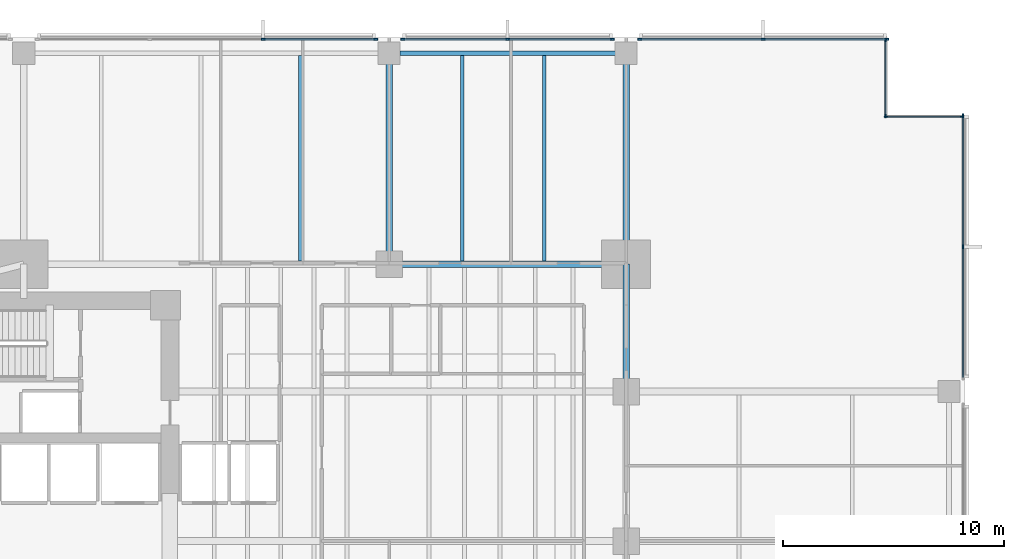
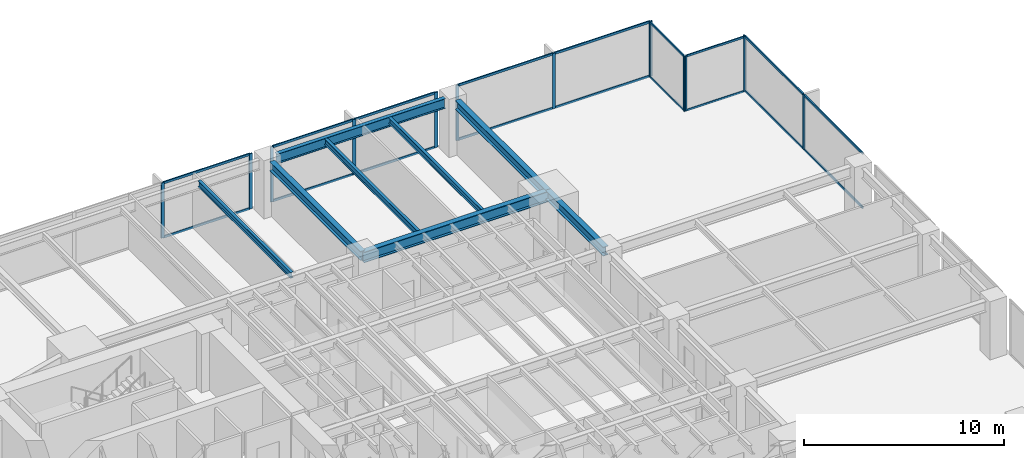
# One storey, part 6 of 15: 32 members, 8 beams, 6 elements without a shape of their own.
"""IFC4 building model written with IfcOpenShell, lengths in metres."""

from ifc_helpers import new_model, si_unit, direction, frame, origin, origin_2d, place, context, subcontext, project, spatial, rectangle, i_section, extrude, material, layer, layer_set, material_profile, profile_set, type_object, element, aggregate, save


model = new_model("IFC4")

# Units and contexts
model_context = context("Model", 3, precision=1e-05, world=origin(), true_north=direction((0.0, 1.0)))
body_context = subcontext(model_context, "Body", "Model", "MODEL_VIEW")
ifc_project = project(units=[si_unit("LENGTHUNIT", "METRE"), si_unit("AREAUNIT", "SQUARE_METRE"), si_unit("VOLUMEUNIT", "CUBIC_METRE"), si_unit("PLANEANGLEUNIT", "RADIAN"), si_unit("MASSUNIT", "GRAM", prefix="KILO")], contexts=[model_context])

# Site, building, storey
site_placement = place(None, origin())
site = spatial("IfcSite", under=ifc_project, at=site_placement, CompositionType="ELEMENT")
building_placement = place(site_placement, origin())
building = spatial("IfcBuilding", under=site, at=building_placement, Name="Kinhvarn Gate Tower", CompositionType="ELEMENT")
storey_placement = place(building_placement, frame((0.0, 0.0, 61.10009765625)))
storey = spatial("IfcBuildingStorey", under=building, at=storey_placement, Name="L15", CompositionType="ELEMENT", Elevation=61.10009765625)

# Curtain wall, members
ifc_material_1 = material(Name="Anodised aluminium AW-6063", Category="aluminium")
ifc_layer_1 = layer(ifc_material_1, 0.179931640625)
ifc_layer_set_1 = layer_set([ifc_layer_1], Name="Anodised aluminium AW-6063")
curtain_wall_type_1 = type_object("IfcCurtainWallType", Name="CW-SYS-4", PredefinedType="NOTDEFINED", material=ifc_layer_set_1)
curtain_wall_1_placement = place(storey_placement, origin())
curtain_wall_1 = element("IfcCurtainWall", 1, at=curtain_wall_1_placement, inside=storey, type_object=curtain_wall_type_1, Name="Curtain Wall CW4 (L15)", PredefinedType="NOTDEFINED")
ifc_material_profile_1 = material_profile(ifc_material_1, rectangle(XDim=0.06494140625, YDim=0.159912109375, at=origin_2d()), Name="ALU 65x160")
ifc_profile_set_1 = profile_set([ifc_material_profile_1], Name="Anodised aluminium AW-6063")
member_type_1 = type_object("IfcMemberType", Name="CW-MUL-160", PredefinedType="MULLION", material=ifc_profile_set_1)
member_1_placement = place(storey_placement, frame((53.37744140625, 44.409912109375, 0.0), z_axis=(0.0, 0.0, 1.0), x_axis=(0.0, -1.0, 0.0)))
member_1 = element("IfcMember", 2, at=member_1_placement, type_object=member_type_1, Name="CW4 mullion 1", PredefinedType="MULLION", context=body_context, shape_type="SweptSolid", body=[
    extrude(rectangle(XDim=0.06494140625, YDim=0.159912109375, at=origin_2d()), origin(), (0.0, 0.0, 1.0), 3.369873046875),
])
member_2_placement = place(storey_placement, frame((49.9423828125, 44.409912109375, 0.0), z_axis=(0.0, 0.0, 1.0), x_axis=(0.0, -1.0, 0.0)))
member_2 = element("IfcMember", 3, at=member_2_placement, type_object=member_type_1, Name="CW4 mullion 2", PredefinedType="MULLION", context=body_context, shape_type="SweptSolid", body=[
    extrude(rectangle(XDim=0.06494140625, YDim=0.159912109375, at=origin_2d()), origin(), (0.0, 0.0, 1.0), 3.369873046875),
])

curtain_wall_2_placement = place(storey_placement, origin())
curtain_wall_2 = element("IfcCurtainWall", 4, at=curtain_wall_2_placement, inside=storey, type_object=curtain_wall_type_1, Name="Curtain Wall CW4 (L15)", PredefinedType="NOTDEFINED")
member_3_placement = place(storey_placement, frame((49.909912109375, 44.4423828125, 0.0), z_axis=(0.0, 0.0, 1.0), x_axis=(-1.0, 0.0, 0.0)))
member_3 = element("IfcMember", 5, at=member_3_placement, type_object=member_type_1, Name="CW4 mullion 1", PredefinedType="MULLION", context=body_context, shape_type="SweptSolid", body=[
    extrude(rectangle(XDim=0.06494140625, YDim=0.159912109375, at=origin_2d()), origin(), (0.0, 0.0, 1.0), 3.369873046875),
])
member_4_placement = place(storey_placement, frame((49.909912109375, 47.87744140625, 0.0), z_axis=(0.0, 0.0, 1.0), x_axis=(-1.0, 0.0, 0.0)))
member_4 = element("IfcMember", 6, at=member_4_placement, type_object=member_type_1, Name="CW4 mullion 2", PredefinedType="MULLION", context=body_context, shape_type="SweptSolid", body=[
    extrude(rectangle(XDim=0.06494140625, YDim=0.159912109375, at=origin_2d()), origin(), (0.0, 0.0, 1.0), 3.369873046875),
])

ifc_layer_2 = layer(ifc_material_1, 0.179931640625)
ifc_layer_set_2 = layer_set([ifc_layer_2], Name="Anodised aluminium AW-6063")
curtain_wall_type_2 = type_object("IfcCurtainWallType", Name="CW-SYS-2", PredefinedType="NOTDEFINED", material=ifc_layer_set_2)
curtain_wall_3_placement = place(storey_placement, origin())
curtain_wall_3 = element("IfcCurtainWall", 7, at=curtain_wall_3_placement, inside=storey, type_object=curtain_wall_type_2, Name="Curtain Wall CW2 (L15)", PredefinedType="NOTDEFINED")
ifc_material_profile_2 = material_profile(ifc_material_1, rectangle(XDim=0.070068359375, YDim=0.179931640625, at=origin_2d()), Name="ALU 70x180")
ifc_profile_set_2 = profile_set([ifc_material_profile_2], Name="Anodised aluminium AW-6063")
member_type_2 = type_object("IfcMemberType", Name="CW-MUL-180", PredefinedType="MULLION", material=ifc_profile_set_2)
member_5_placement = place(storey_placement, frame((49.965087890625, 47.909912109375, 0.0), z_axis=(0.0, 0.0, 1.0), x_axis=(0.0, -1.0, 0.0)))
member_5 = element("IfcMember", 8, at=member_5_placement, type_object=member_type_2, Name="CW2 mullion 1", PredefinedType="MULLION", context=body_context, shape_type="SweptSolid", body=[
    extrude(rectangle(XDim=0.070068359375, YDim=0.179931640625, at=origin_2d()), origin(), (0.0, 0.0, 1.0), 3.369873046875),
])
member_6_placement = place(storey_placement, frame((44.389892578125, 47.909912109375, 0.0), z_axis=(0.0, 0.0, 1.0), x_axis=(0.0, -1.0, 0.0)))
member_6 = element("IfcMember", 9, at=member_6_placement, type_object=member_type_2, Name="CW2 mullion 2", PredefinedType="MULLION", context=body_context, shape_type="SweptSolid", body=[
    extrude(rectangle(XDim=0.070068359375, YDim=0.179931640625, at=origin_2d()), origin(), (0.0, 0.0, 1.0), 3.369873046875),
])
member_7_placement = place(storey_placement, frame((38.81494140625, 47.909912109375, 0.0), z_axis=(0.0, 0.0, 1.0), x_axis=(0.0, -1.0, 0.0)))
member_7 = element("IfcMember", 10, at=member_7_placement, type_object=member_type_2, Name="CW2 mullion 3", PredefinedType="MULLION", context=body_context, shape_type="SweptSolid", body=[
    extrude(rectangle(XDim=0.070068359375, YDim=0.179931640625, at=origin_2d()), origin(), (0.0, 0.0, 1.0), 3.369873046875),
])

curtain_wall_4_placement = place(storey_placement, origin())
curtain_wall_4 = element("IfcCurtainWall", 11, at=curtain_wall_4_placement, inside=storey, type_object=curtain_wall_type_2, Name="Curtain Wall CW2 (L15)", PredefinedType="NOTDEFINED")
member_8_placement = place(storey_placement, frame((37.5849609375, 47.909912109375, 0.0), z_axis=(0.0, 0.0, 1.0), x_axis=(0.0, -1.0, 0.0)))
member_8 = element("IfcMember", 12, at=member_8_placement, type_object=member_type_2, Name="CW2 mullion 1", PredefinedType="MULLION", context=body_context, shape_type="SweptSolid", body=[
    extrude(rectangle(XDim=0.070068359375, YDim=0.179931640625, at=origin_2d()), origin(), (0.0, 0.0, 1.0), 3.369873046875),
])
member_9_placement = place(storey_placement, frame((32.85009765625, 47.909912109375, 0.0), z_axis=(0.0, 0.0, 1.0), x_axis=(0.0, -1.0, 0.0)))
member_9 = element("IfcMember", 13, at=member_9_placement, type_object=member_type_2, Name="CW2 mullion 2", PredefinedType="MULLION", context=body_context, shape_type="SweptSolid", body=[
    extrude(rectangle(XDim=0.070068359375, YDim=0.179931640625, at=origin_2d()), origin(), (0.0, 0.0, 1.0), 3.369873046875),
])
member_10_placement = place(storey_placement, frame((28.114990234375, 47.909912109375, 0.0), z_axis=(0.0, 0.0, 1.0), x_axis=(0.0, -1.0, 0.0)))
member_10 = element("IfcMember", 14, at=member_10_placement, type_object=member_type_2, Name="CW2 mullion 3", PredefinedType="MULLION", context=body_context, shape_type="SweptSolid", body=[
    extrude(rectangle(XDim=0.070068359375, YDim=0.179931640625, at=origin_2d()), origin(), (0.0, 0.0, 1.0), 3.369873046875),
])

curtain_wall_5_placement = place(storey_placement, origin())
curtain_wall_5 = element("IfcCurtainWall", 15, at=curtain_wall_5_placement, inside=storey, type_object=curtain_wall_type_2, Name="Curtain Wall CW2 (L15)", PredefinedType="NOTDEFINED")
member_11_placement = place(storey_placement, frame((26.885009765625, 47.909912109375, 0.0), z_axis=(0.0, 0.0, 1.0), x_axis=(0.0, -1.0, 0.0)))
member_11 = element("IfcMember", 16, at=member_11_placement, type_object=member_type_2, Name="CW2 mullion 1", PredefinedType="MULLION", context=body_context, shape_type="SweptSolid", body=[
    extrude(rectangle(XDim=0.070068359375, YDim=0.179931640625, at=origin_2d()), origin(), (0.0, 0.0, 1.0), 3.369873046875),
])
member_12_placement = place(storey_placement, frame((21.806640625, 47.909912109375, 0.0), z_axis=(0.0, 0.0, 1.0), x_axis=(0.0, -1.0, 0.0)))
member_12 = element("IfcMember", 17, at=member_12_placement, type_object=member_type_2, Name="CW2 mullion 2", PredefinedType="MULLION", context=body_context, shape_type="SweptSolid", body=[
    extrude(rectangle(XDim=0.070068359375, YDim=0.179931640625, at=origin_2d()), origin(), (0.0, 0.0, 1.0), 3.369873046875),
])

curtain_wall_6_placement = place(storey_placement, origin())
curtain_wall_6 = element("IfcCurtainWall", 18, at=curtain_wall_6_placement, inside=storey, type_object=curtain_wall_type_2, Name="Curtain Wall CW2 (L15)", PredefinedType="NOTDEFINED")
member_13_placement = place(storey_placement, frame((53.409912109375, 38.5400390625, 0.0), z_axis=(0.0, 0.0, 1.0), x_axis=(-1.0, 0.0, 0.0)))
member_13 = element("IfcMember", 19, at=member_13_placement, type_object=member_type_2, Name="CW2 mullion 2", PredefinedType="MULLION", context=body_context, shape_type="SweptSolid", body=[
    extrude(rectangle(XDim=0.070068359375, YDim=0.179931640625, at=origin_2d()), origin(), (0.0, 0.0, 1.0), 3.369873046875),
])
member_14_placement = place(storey_placement, frame((53.409912109375, 44.465087890625, 0.0), z_axis=(0.0, 0.0, 1.0), x_axis=(-1.0, 0.0, 0.0)))
member_14 = element("IfcMember", 20, at=member_14_placement, type_object=member_type_2, Name="CW2 mullion 3", PredefinedType="MULLION", context=body_context, shape_type="SweptSolid", body=[
    extrude(rectangle(XDim=0.070068359375, YDim=0.179931640625, at=origin_2d()), origin(), (0.0, 0.0, 1.0), 3.369873046875),
])

# Member
ifc_material_profile_3 = material_profile(ifc_material_1, rectangle(XDim=0.06494140625, YDim=0.1201171875, at=origin_2d()), Name="ALU 65x120")
ifc_profile_set_3 = profile_set([ifc_material_profile_3], Name="Anodised aluminium AW-6063")
member_type_3 = type_object("IfcMemberType", Name="CW-TRN-120", PredefinedType="USERDEFINED", material=ifc_profile_set_3)
member_15_placement = place(storey_placement, frame((53.344970703125, 44.409912109375, 0.032470703125), z_axis=(-1.0, 0.0, 0.0), x_axis=(0.0, -1.0, 0.0)))
member_15 = element("IfcMember", 21, at=member_15_placement, type_object=member_type_3, Name="CW4 transom 1.1", ObjectType="TRANSOM", PredefinedType="USERDEFINED", context=body_context, shape_type="SweptSolid", body=[
    extrude(rectangle(XDim=0.06494140625, YDim=0.1201171875, at=origin_2d()), origin(), (0.0, 0.0, 1.0), 3.369873046875),
])

member_16_placement = place(storey_placement, frame((53.344970703125, 44.409912109375, 3.33740234375), z_axis=(-1.0, 0.0, 0.0), x_axis=(0.0, -1.0, 0.0)))
member_16 = element("IfcMember", 22, at=member_16_placement, type_object=member_type_3, Name="CW4 transom 1.2", ObjectType="TRANSOM", PredefinedType="USERDEFINED", context=body_context, shape_type="SweptSolid", body=[
    extrude(rectangle(XDim=0.06494140625, YDim=0.1201171875, at=origin_2d()), origin(), (0.0, 0.0, 1.0), 3.369873046875),
])

aggregate(curtain_wall_1, [member_1, member_2, member_15, member_16])

member_17_placement = place(storey_placement, frame((49.909912109375, 44.47509765625, 0.032470703125), z_axis=(0.0, 1.0, 0.0), x_axis=(-1.0, 0.0, 0.0)))
member_17 = element("IfcMember", 23, at=member_17_placement, type_object=member_type_3, Name="CW4 transom 1.1", ObjectType="TRANSOM", PredefinedType="USERDEFINED", context=body_context, shape_type="SweptSolid", body=[
    extrude(rectangle(XDim=0.06494140625, YDim=0.1201171875, at=origin_2d()), origin(), (0.0, 0.0, 1.0), 3.369873046875),
])

member_18_placement = place(storey_placement, frame((49.909912109375, 44.47509765625, 3.33740234375), z_axis=(0.0, 1.0, 0.0), x_axis=(-1.0, 0.0, 0.0)))
member_18 = element("IfcMember", 24, at=member_18_placement, type_object=member_type_3, Name="CW4 transom 1.2", ObjectType="TRANSOM", PredefinedType="USERDEFINED", context=body_context, shape_type="SweptSolid", body=[
    extrude(rectangle(XDim=0.06494140625, YDim=0.1201171875, at=origin_2d()), origin(), (0.0, 0.0, 1.0), 3.369873046875),
])

aggregate(curtain_wall_2, [member_3, member_4, member_17, member_18])

ifc_material_profile_4 = material_profile(ifc_material_1, rectangle(XDim=0.070068359375, YDim=0.139892578125, at=origin_2d()), Name="ALU 70x140")
ifc_profile_set_4 = profile_set([ifc_material_profile_4], Name="Anodised aluminium AW-6063")
member_type_4 = type_object("IfcMemberType", Name="CW-TRN-140", PredefinedType="USERDEFINED", material=ifc_profile_set_4)
member_19_placement = place(storey_placement, frame((49.929931640625, 47.909912109375, 0.034912109375), z_axis=(-1.0, 0.0, 0.0), x_axis=(0.0, -1.0, 0.0)))
member_19 = element("IfcMember", 25, at=member_19_placement, type_object=member_type_4, Name="CW2 transom 1.1", ObjectType="TRANSOM", PredefinedType="USERDEFINED", context=body_context, shape_type="SweptSolid", body=[
    extrude(rectangle(XDim=0.070068359375, YDim=0.139892578125, at=origin_2d()), origin(), (0.0, 0.0, 1.0), 5.5048828125),
])

member_20_placement = place(storey_placement, frame((49.929931640625, 47.909912109375, 3.3349609375), z_axis=(-1.0, 0.0, 0.0), x_axis=(0.0, -1.0, 0.0)))
member_20 = element("IfcMember", 26, at=member_20_placement, type_object=member_type_4, Name="CW2 transom 1.2", ObjectType="TRANSOM", PredefinedType="USERDEFINED", context=body_context, shape_type="SweptSolid", body=[
    extrude(rectangle(XDim=0.070068359375, YDim=0.139892578125, at=origin_2d()), origin(), (0.0, 0.0, 1.0), 5.5048828125),
])

member_21_placement = place(storey_placement, frame((44.35498046875, 47.909912109375, 0.034912109375), z_axis=(-1.0, 0.0, 0.0), x_axis=(0.0, -1.0, 0.0)))
member_21 = element("IfcMember", 27, at=member_21_placement, type_object=member_type_4, Name="CW2 transom 2.1", ObjectType="TRANSOM", PredefinedType="USERDEFINED", context=body_context, shape_type="SweptSolid", body=[
    extrude(rectangle(XDim=0.070068359375, YDim=0.139892578125, at=origin_2d()), origin(), (0.0, 0.0, 1.0), 5.5048828125),
])

member_22_placement = place(storey_placement, frame((44.35498046875, 47.909912109375, 3.3349609375), z_axis=(-1.0, 0.0, 0.0), x_axis=(0.0, -1.0, 0.0)))
member_22 = element("IfcMember", 28, at=member_22_placement, type_object=member_type_4, Name="CW2 transom 2.2", ObjectType="TRANSOM", PredefinedType="USERDEFINED", context=body_context, shape_type="SweptSolid", body=[
    extrude(rectangle(XDim=0.070068359375, YDim=0.139892578125, at=origin_2d()), origin(), (0.0, 0.0, 1.0), 5.5048828125),
])

aggregate(curtain_wall_3, [member_5, member_6, member_7, member_19, member_20, member_21, member_22])

member_23_placement = place(storey_placement, frame((37.550048828125, 47.909912109375, 0.034912109375), z_axis=(-1.0, 0.0, 0.0), x_axis=(0.0, -1.0, 0.0)))
member_23 = element("IfcMember", 29, at=member_23_placement, type_object=member_type_4, Name="CW2 transom 1.1", ObjectType="TRANSOM", PredefinedType="USERDEFINED", context=body_context, shape_type="SweptSolid", body=[
    extrude(rectangle(XDim=0.070068359375, YDim=0.139892578125, at=origin_2d()), origin(), (0.0, 0.0, 1.0), 4.6650390625),
])

member_24_placement = place(storey_placement, frame((37.550048828125, 47.909912109375, 3.3349609375), z_axis=(-1.0, 0.0, 0.0), x_axis=(0.0, -1.0, 0.0)))
member_24 = element("IfcMember", 30, at=member_24_placement, type_object=member_type_4, Name="CW2 transom 1.2", ObjectType="TRANSOM", PredefinedType="USERDEFINED", context=body_context, shape_type="SweptSolid", body=[
    extrude(rectangle(XDim=0.070068359375, YDim=0.139892578125, at=origin_2d()), origin(), (0.0, 0.0, 1.0), 4.6650390625),
])

member_25_placement = place(storey_placement, frame((32.81494140625, 47.909912109375, 0.034912109375), z_axis=(-1.0, 0.0, 0.0), x_axis=(0.0, -1.0, 0.0)))
member_25 = element("IfcMember", 31, at=member_25_placement, type_object=member_type_4, Name="CW2 transom 2.1", ObjectType="TRANSOM", PredefinedType="USERDEFINED", context=body_context, shape_type="SweptSolid", body=[
    extrude(rectangle(XDim=0.070068359375, YDim=0.139892578125, at=origin_2d()), origin(), (0.0, 0.0, 1.0), 4.6650390625),
])

member_26_placement = place(storey_placement, frame((32.81494140625, 47.909912109375, 3.3349609375), z_axis=(-1.0, 0.0, 0.0), x_axis=(0.0, -1.0, 0.0)))
member_26 = element("IfcMember", 32, at=member_26_placement, type_object=member_type_4, Name="CW2 transom 2.2", ObjectType="TRANSOM", PredefinedType="USERDEFINED", context=body_context, shape_type="SweptSolid", body=[
    extrude(rectangle(XDim=0.070068359375, YDim=0.139892578125, at=origin_2d()), origin(), (0.0, 0.0, 1.0), 4.6650390625),
])

aggregate(curtain_wall_4, [member_8, member_9, member_10, member_23, member_24, member_25, member_26])

member_27_placement = place(storey_placement, frame((26.85009765625, 47.909912109375, 0.034912109375), z_axis=(-1.0, 0.0, 0.0), x_axis=(0.0, -1.0, 0.0)))
member_27 = element("IfcMember", 33, at=member_27_placement, type_object=member_type_4, Name="CW2 transom 1.1", ObjectType="TRANSOM", PredefinedType="USERDEFINED", context=body_context, shape_type="SweptSolid", body=[
    extrude(rectangle(XDim=0.070068359375, YDim=0.139892578125, at=origin_2d()), origin(), (0.0, 0.0, 1.0), 5.008544921875),
])

member_28_placement = place(storey_placement, frame((26.85009765625, 47.909912109375, 3.3349609375), z_axis=(-1.0, 0.0, 0.0), x_axis=(0.0, -1.0, 0.0)))
member_28 = element("IfcMember", 34, at=member_28_placement, type_object=member_type_4, Name="CW2 transom 1.2", ObjectType="TRANSOM", PredefinedType="USERDEFINED", context=body_context, shape_type="SweptSolid", body=[
    extrude(rectangle(XDim=0.070068359375, YDim=0.139892578125, at=origin_2d()), origin(), (0.0, 0.0, 1.0), 5.008544921875),
])

aggregate(curtain_wall_5, [member_11, member_12, member_27, member_28])

member_29_placement = place(storey_placement, frame((53.409912109375, 32.64990234375, 0.034912109375), z_axis=(0.0, 1.0, 0.0), x_axis=(-1.0, 0.0, 0.0)))
member_29 = element("IfcMember", 35, at=member_29_placement, type_object=member_type_4, Name="CW2 transom 1.1", ObjectType="TRANSOM", PredefinedType="USERDEFINED", context=body_context, shape_type="SweptSolid", body=[
    extrude(rectangle(XDim=0.070068359375, YDim=0.139892578125, at=origin_2d()), origin(), (0.0, 0.0, 1.0), 5.85498046875),
])

member_30_placement = place(storey_placement, frame((53.409912109375, 32.64990234375, 3.3349609375), z_axis=(0.0, 1.0, 0.0), x_axis=(-1.0, 0.0, 0.0)))
member_30 = element("IfcMember", 36, at=member_30_placement, type_object=member_type_4, Name="CW2 transom 1.2", ObjectType="TRANSOM", PredefinedType="USERDEFINED", context=body_context, shape_type="SweptSolid", body=[
    extrude(rectangle(XDim=0.070068359375, YDim=0.139892578125, at=origin_2d()), origin(), (0.0, 0.0, 1.0), 5.85498046875),
])

member_31_placement = place(storey_placement, frame((53.409912109375, 38.574951171875, 0.034912109375), z_axis=(0.0, 1.0, 0.0), x_axis=(-1.0, 0.0, 0.0)))
member_31 = element("IfcMember", 37, at=member_31_placement, type_object=member_type_4, Name="CW2 transom 2.1", ObjectType="TRANSOM", PredefinedType="USERDEFINED", context=body_context, shape_type="SweptSolid", body=[
    extrude(rectangle(XDim=0.070068359375, YDim=0.139892578125, at=origin_2d()), origin(), (0.0, 0.0, 1.0), 5.85498046875),
])

member_32_placement = place(storey_placement, frame((53.409912109375, 38.574951171875, 3.3349609375), z_axis=(0.0, 1.0, 0.0), x_axis=(-1.0, 0.0, 0.0)))
member_32 = element("IfcMember", 38, at=member_32_placement, type_object=member_type_4, Name="CW2 transom 2.2", ObjectType="TRANSOM", PredefinedType="USERDEFINED", context=body_context, shape_type="SweptSolid", body=[
    extrude(rectangle(XDim=0.070068359375, YDim=0.139892578125, at=origin_2d()), origin(), (0.0, 0.0, 1.0), 5.85498046875),
])

aggregate(curtain_wall_6, [member_13, member_14, member_29, member_30, member_31, member_32])

# Beams
ifc_material_2 = material(Name="Steel S355", Category="steel")
ifc_material_profile_5 = material_profile(ifc_material_2, i_section(OverallWidth=0.300048828125, OverallDepth=0.550048828125, WebThickness=0.014892578125, FlangeThickness=0.029052734375, at=origin_2d()), Name="HEB 550")
ifc_profile_set_5 = profile_set([ifc_material_profile_5], Name="Steel S355")
beam_type_1 = type_object("IfcBeamType", Name="STL-HEB550", PredefinedType="BEAM", material=ifc_profile_set_5)
for number, where, z_axis, x_axis, name in (
    (39, (27.5, 37.75, 3.094970703125), (0.0, 1.0, 0.0), (-1.0, 0.0, 0.0), "Floor Beam PG-15 (L15 SP27-N-TIE)"),
    (40, (38.199951171875, 37.75, 3.094970703125), (0.0, 1.0, 0.0), (-1.0, 0.0, 0.0), "Floor Beam PG-15 (L15 MCE-N)"),
):
    element("IfcBeam", number, at=place(storey_placement, frame(where, z_axis=z_axis, x_axis=x_axis)), inside=storey, type_object=beam_type_1, Name=name, PredefinedType="BEAM", context=body_context, shape_type="SweptSolid", body=[
        extrude(i_section(OverallWidth=0.300048828125, OverallDepth=0.550048828125, WebThickness=0.014892578125, FlangeThickness=0.029052734375, at=origin_2d()), origin(), (0.0, 0.0, 1.0), 9.044921875),
    ])
beam_1_placement = place(storey_placement, frame((38.199951171875, 32.0, 3.094970703125), z_axis=(0.0, 1.0, 0.0), x_axis=(-1.0, 0.0, 0.0)))
element("IfcBeam", 41, at=beam_1_placement, inside=storey, type_object=beam_type_1, Name="Floor Beam PG-15 (L15 MG-E-32)", PredefinedType="BEAM", context=body_context, shape_type="SweptSolid", body=[
    extrude(i_section(OverallWidth=0.300048828125, OverallDepth=0.550048828125, WebThickness=0.014892578125, FlangeThickness=0.029052734375, at=origin_2d()), origin(), (0.0, 0.0, 1.0), 5.75),
])
ifc_material_profile_6 = material_profile(ifc_material_2, i_section(OverallWidth=0.300048828125, OverallDepth=0.64990234375, WebThickness=0.01611328125, FlangeThickness=0.031005859375, at=origin_2d()), Name="HEB 650")
ifc_profile_set_6 = profile_set([ifc_material_profile_6], Name="Steel S355")
beam_type_2 = type_object("IfcBeamType", Name="STL-HEB650", PredefinedType="BEAM", material=ifc_profile_set_6)
beam_2_placement = place(storey_placement, frame((27.5, 37.75, 3.044921875), z_axis=(1.0, 0.0, 0.0), x_axis=(0.0, 1.0, 0.0)))
element("IfcBeam", 42, at=beam_2_placement, inside=storey, type_object=beam_type_2, Name="Floor Beam PG-17 (L15 MG-N2)", PredefinedType="BEAM", context=body_context, shape_type="SweptSolid", body=[
    extrude(i_section(OverallWidth=0.300048828125, OverallDepth=0.64990234375, WebThickness=0.01611328125, FlangeThickness=0.031005859375, at=origin_2d()), origin(), (0.0, 0.0, 1.0), 10.699951171875),
])
ifc_material_profile_7 = material_profile(ifc_material_2, i_section(OverallWidth=0.169921875, OverallDepth=0.360107421875, WebThickness=0.008056640625, FlangeThickness=0.0126953125, at=origin_2d()), Name="IPE 360")
ifc_profile_set_7 = profile_set([ifc_material_profile_7], Name="Steel S355")
beam_type_3 = type_object("IfcBeamType", Name="STL-IPE360", PredefinedType="JOIST", material=ifc_profile_set_7)
for number, where, z_axis, x_axis, name in (
    (43, (23.5, 37.89990234375, 3.18994140625), (0.0, 1.0, 0.0), (-1.0, 0.0, 0.0), "Floor Joist SB-04 (L15 JN-X235)"),
    (44, (30.800048828125, 37.89990234375, 3.18994140625), (0.0, 1.0, 0.0), (-1.0, 0.0, 0.0), "Floor Joist SB-04 (L15 JN-X308)"),
    (45, (34.5, 37.89990234375, 3.18994140625), (0.0, 1.0, 0.0), (-1.0, 0.0, 0.0), "Floor Joist SB-04 (L15 JN-X345)"),
):
    element("IfcBeam", number, at=place(storey_placement, frame(where, z_axis=z_axis, x_axis=x_axis)), inside=storey, type_object=beam_type_3, Name=name, PredefinedType="JOIST", context=body_context, shape_type="SweptSolid", body=[
        extrude(i_section(OverallWidth=0.169921875, OverallDepth=0.360107421875, WebThickness=0.008056640625, FlangeThickness=0.0126953125, at=origin_2d()), origin(), (0.0, 0.0, 1.0), 9.27001953125),
    ])
ifc_material_profile_8 = material_profile(ifc_material_2, i_section(OverallWidth=0.219970703125, OverallDepth=0.60009765625, WebThickness=0.011962890625, FlangeThickness=0.01904296875, at=origin_2d()), Name="IPE 600")
ifc_profile_set_8 = profile_set([ifc_material_profile_8], Name="Steel S355")
beam_type_4 = type_object("IfcBeamType", Name="STL-IPE600", PredefinedType="SPANDREL", material=ifc_profile_set_8)
beam_3_placement = place(storey_placement, frame((27.985107421875, 47.280029296875, 3.06982421875), z_axis=(1.0, 0.0, 0.0), x_axis=(0.0, 1.0, 0.0)))
element("IfcBeam", 46, at=beam_3_placement, inside=storey, type_object=beam_type_4, Name="Floor Spandrel SB-09 (L15 SP-N2)", PredefinedType="SPANDREL", context=body_context, shape_type="SweptSolid", body=[
    extrude(i_section(OverallWidth=0.219970703125, OverallDepth=0.60009765625, WebThickness=0.011962890625, FlangeThickness=0.01904296875, at=origin_2d()), origin(), (0.0, 0.0, 1.0), 9.72998046875),
])

save(model, "model.ifc")
